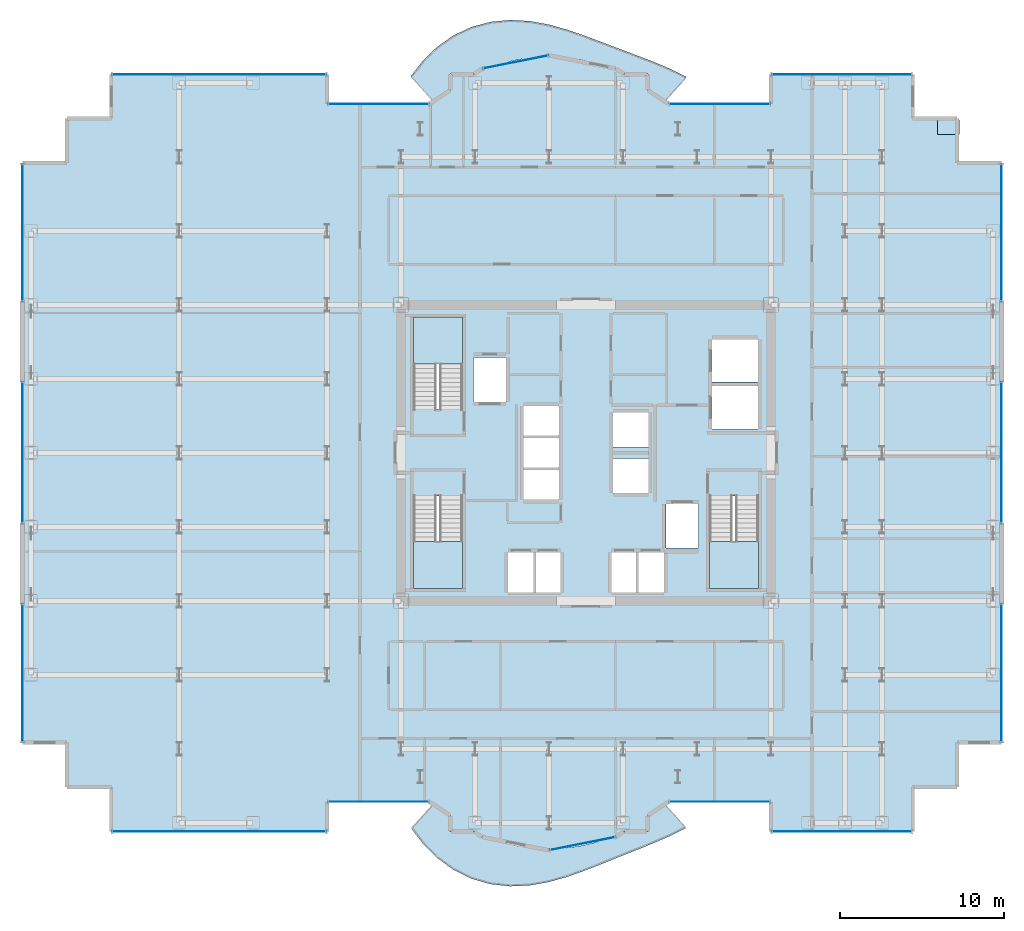
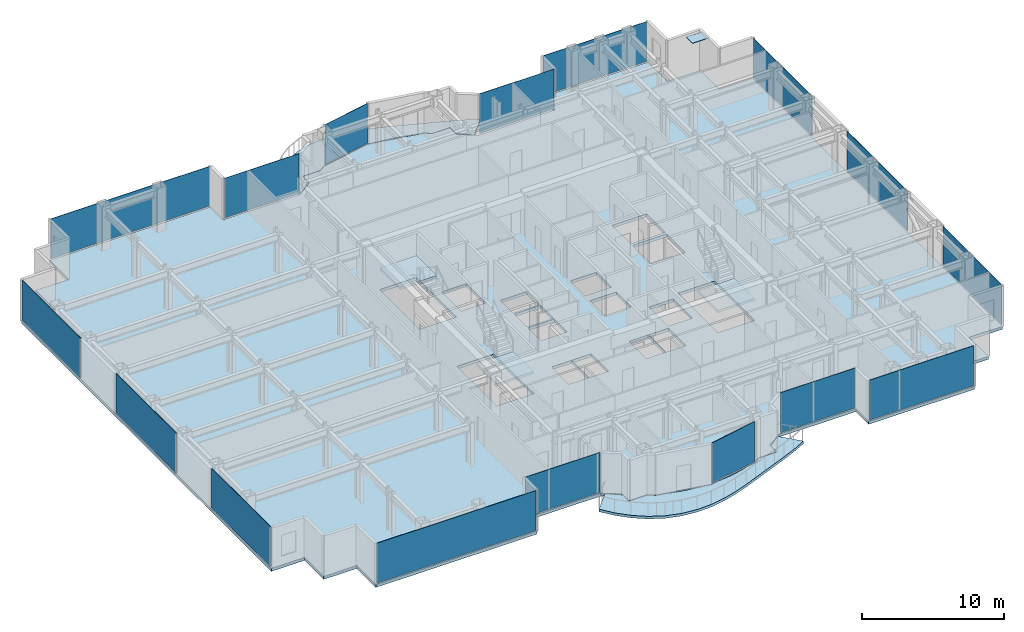
# One storey, part 17 of 26: 17 plates, 6 slabs, 19 elements without a shape of their own.
"""IFC4 building model written with IfcOpenShell, lengths in metres."""

from ifc_helpers import new_model, si_unit, direction, frame, origin, origin_2d, place, context, subcontext, project, spatial, polyline, rectangle, outline, extrude, source, transform, mapped, material, layer, layer_set, type_object, element, aggregate, save


model = new_model("IFC4")

# Units and contexts
model_context = context("Model", 3, precision=1e-05, world=origin(), true_north=direction((0.0, 1.0)))
body_context = subcontext(model_context, "Body", "Model", "MODEL_VIEW")
ifc_project = project(units=[si_unit("LENGTHUNIT", "METRE"), si_unit("AREAUNIT", "SQUARE_METRE"), si_unit("VOLUMEUNIT", "CUBIC_METRE"), si_unit("PLANEANGLEUNIT", "RADIAN"), si_unit("MASSUNIT", "GRAM", prefix="KILO")], contexts=[model_context])

# Site, building, storey
site_placement = place(None, origin())
site = spatial("IfcSite", under=ifc_project, at=site_placement, CompositionType="ELEMENT")
building_placement = place(site_placement, origin())
building = spatial("IfcBuilding", under=site, at=building_placement, Name="Nefas-Gora Pilgrimage Tower", CompositionType="ELEMENT")
storey_placement = place(building_placement, frame((0.0, 0.0, 171.60009765625)))
storey = spatial("IfcBuildingStorey", under=building, at=storey_placement, Name="L42", CompositionType="ELEMENT", Elevation=171.60009765625)

# Slabs
ifc_material_1 = material(Name="Concrete C40/50", Category="concrete")
ifc_layer_1 = layer(ifc_material_1, 0.219970703125)
ifc_layer_set_1 = layer_set([ifc_layer_1], Name="Concrete C40/50")
slab_type_1 = type_object("IfcSlabType", Name="SLB-BAL-P0", PredefinedType="FLOOR", material=ifc_layer_set_1)
slab_1_placement = place(storey_placement, frame((0.0, 0.0, -0.22021484375)))
element("IfcSlab", 1, at=slab_1_placement, inside=storey, type_object=slab_type_1, Name="L42 Sinusoidal Lobe Balcony Slab S (Phase 0)", PredefinedType="FLOOR", context=body_context, shape_type="SweptSolid", body=[
    extrude(outline(polyline([(4.78759765625, -21.385986328125), (4.724609375, -21.427978515625), (4.038330078125, -21.9912109375), (3.760009765625, -22.179931640625), (3.760009765625, -23.02001953125), (3.760009765625, -23.02099609375), (3.759765625, -23.02197265625), (3.759521484375, -23.02294921875), (3.75927734375, -23.023681640625), (3.7587890625, -23.024658203125), (3.75830078125, -23.025634765625), (3.7578125, -23.0263671875), (3.757080078125, -23.027099609375), (3.75634765625, -23.027587890625), (3.755615234375, -23.0283203125), (3.754638671875, -23.02880859375), (3.75390625, -23.029296875), (3.7529296875, -23.029541015625), (3.751953125, -23.02978515625), (3.7509765625, -23.030029296875), (3.75, -23.030029296875), (2.3271484375, -23.030029296875), (1.81298828125, -23.37353515625), (1.81201171875, -23.3740234375), (1.811279296875, -23.37451171875), (1.810302734375, -23.375), (1.809326171875, -23.375), (1.13037109375, -23.51025390625), (0.602783203125, -23.685302734375), (-0.334716796875, -23.904052734375), (-1.288330078125, -24.035888671875), (-1.580078125, -24.04931640625), (-2.248046875, -24.18212890625), (-2.2490234375, -24.182373046875), (-2.25, -24.182373046875), (-2.2509765625, -24.182373046875), (-2.251953125, -24.18212890625), (-2.919921875, -24.04931640625), (-3.211669921875, -24.035888671875), (-4.165283203125, -23.904052734375), (-5.102783203125, -23.685302734375), (-5.63037109375, -23.51025390625), (-6.309326171875, -23.375), (-6.310302734375, -23.375), (-6.311279296875, -23.37451171875), (-6.31201171875, -23.3740234375), (-6.31298828125, -23.37353515625), (-6.8271484375, -23.030029296875), (-8.25, -23.030029296875), (-8.2509765625, -23.030029296875), (-8.251953125, -23.02978515625), (-8.2529296875, -23.029541015625), (-8.25390625, -23.029296875), (-8.254638671875, -23.02880859375), (-8.255615234375, -23.0283203125), (-8.25634765625, -23.027587890625), (-8.257080078125, -23.027099609375), (-8.2578125, -23.0263671875), (-8.25830078125, -23.025634765625), (-8.2587890625, -23.024658203125), (-8.25927734375, -23.023681640625), (-8.259521484375, -23.02294921875), (-8.259765625, -23.02197265625), (-8.260009765625, -23.02099609375), (-8.260009765625, -23.02001953125), (-8.260009765625, -22.179931640625), (-8.538330078125, -21.9912109375), (-9.224609375, -21.427978515625), (-9.28759765625, -21.385986328125), (-10.614013671875, -22.859375), (-9.88720703125, -23.797607421875), (-9.037109375, -24.6455078125), (-8.062744140625, -25.357177734375), (-6.98046875, -25.89306640625), (-5.8203125, -26.2294921875), (-4.620849609375, -26.3623046875), (-3.42041015625, -26.3076171875), (-2.25, -26.09912109375), (-1.1279296875, -25.78125), (-0.0576171875, -25.39990234375), (0.971923828125, -24.993896484375), (1.979248046875, -24.58740234375), (2.985107421875, -24.18603515625), (4.00439453125, -23.7763671875), (5.039306640625, -23.331298828125), (6.0751953125, -22.816162109375), (4.78759765625, -21.385986328125)])), origin(), (0.0, 0.0, 1.0), 0.22021484375),
])
ifc_layer_2 = layer(ifc_material_1, 0.22509765625)
ifc_layer_set_2 = layer_set([ifc_layer_2], Name="Concrete C40/50")
slab_type_2 = type_object("IfcSlabType", Name="SLB-BAL-P4", PredefinedType="FLOOR", material=ifc_layer_set_2)
slab_2_placement = place(storey_placement, frame((0.0, 0.0, -0.22509765625)))
element("IfcSlab", 2, at=slab_2_placement, inside=storey, type_object=slab_type_2, Name="L42 Sinusoidal Lobe Balcony Slab N (Phase 4)", PredefinedType="FLOOR", context=body_context, shape_type="SweptSolid", body=[
    extrude(outline(polyline([(-9.28759765625, 21.385986328125), (-9.224609375, 21.427978515625), (-8.538330078125, 21.9912109375), (-8.260009765625, 22.179931640625), (-8.260009765625, 23.02001953125), (-8.260009765625, 23.02099609375), (-8.259765625, 23.02197265625), (-8.259521484375, 23.02294921875), (-8.25927734375, 23.023681640625), (-8.2587890625, 23.024658203125), (-8.25830078125, 23.025634765625), (-8.2578125, 23.0263671875), (-8.257080078125, 23.027099609375), (-8.25634765625, 23.027587890625), (-8.255615234375, 23.0283203125), (-8.254638671875, 23.02880859375), (-8.25390625, 23.029296875), (-8.2529296875, 23.029541015625), (-8.251953125, 23.02978515625), (-8.2509765625, 23.030029296875), (-8.25, 23.030029296875), (-6.8271484375, 23.030029296875), (-6.31298828125, 23.37353515625), (-6.31201171875, 23.3740234375), (-6.311279296875, 23.37451171875), (-6.310302734375, 23.375), (-6.309326171875, 23.375), (-5.63037109375, 23.51025390625), (-5.102783203125, 23.685302734375), (-4.165283203125, 23.904052734375), (-3.211669921875, 24.035888671875), (-2.919921875, 24.04931640625), (-2.251953125, 24.18212890625), (-2.2509765625, 24.182373046875), (-2.25, 24.182373046875), (-2.2490234375, 24.182373046875), (-2.248046875, 24.18212890625), (-1.580078125, 24.04931640625), (-1.288330078125, 24.035888671875), (-0.334716796875, 23.904052734375), (0.602783203125, 23.685302734375), (1.13037109375, 23.51025390625), (1.809326171875, 23.375), (1.810302734375, 23.375), (1.811279296875, 23.37451171875), (1.81201171875, 23.3740234375), (1.81298828125, 23.37353515625), (2.3271484375, 23.030029296875), (3.75, 23.030029296875), (3.7509765625, 23.030029296875), (3.751953125, 23.02978515625), (3.7529296875, 23.029541015625), (3.75390625, 23.029296875), (3.754638671875, 23.02880859375), (3.755615234375, 23.0283203125), (3.75634765625, 23.027587890625), (3.757080078125, 23.027099609375), (3.7578125, 23.0263671875), (3.75830078125, 23.025634765625), (3.7587890625, 23.024658203125), (3.75927734375, 23.023681640625), (3.759521484375, 23.02294921875), (3.759765625, 23.02197265625), (3.760009765625, 23.02099609375), (3.760009765625, 23.02001953125), (3.760009765625, 22.179931640625), (4.038330078125, 21.9912109375), (4.724609375, 21.427978515625), (4.78759765625, 21.385986328125), (6.114013671875, 22.859375), (5.07080078125, 23.373779296875), (4.025390625, 23.810302734375), (2.994384765625, 24.20458984375), (1.978759765625, 24.58642578125), (0.965576171875, 24.9716796875), (-0.06494140625, 25.359130859375), (-1.1328125, 25.7275390625), (-2.25, 26.041015625), (-3.41552734375, 26.25390625), (-4.61328125, 26.321533203125), (-5.814208984375, 26.20751953125), (-6.97998046875, 25.89208984375), (-8.072021484375, 25.375732421875), (-9.05810546875, 24.6796875), (-9.9189453125, 23.840087890625), (-10.653076171875, 22.902587890625), (-9.28759765625, 21.385986328125)])), origin(), (0.0, 0.0, 1.0), 0.22509765625),
])
ifc_layer_3 = layer(ifc_material_1, 0.25)
ifc_layer_set_3 = layer_set([ifc_layer_3], Name="Concrete C40/50")
slab_type_3 = type_object("IfcSlabType", Name="SLB-TWR-250", PredefinedType="FLOOR", material=ifc_layer_set_3)
slab_3_placement = place(storey_placement, frame((0.0, 0.0, -0.25)))
element("IfcSlab", 3, at=slab_3_placement, inside=storey, type_object=slab_type_3, Name="L42 Structural Floor Slab", PredefinedType="FLOOR", context=body_context, shape_type="SweptSolid", body=[
    extrude(outline(polyline([(5.01806640625, -21.219970703125), (11.25, -21.219970703125), (11.25, -23.02001953125), (19.8701171875, -23.02001953125), (19.8701171875, -20.320068359375), (22.570068359375, -20.320068359375), (22.570068359375, -17.6201171875), (25.27001953125, -17.6201171875), (25.27001953125, 17.6201171875), (22.570068359375, 17.6201171875), (22.570068359375, 20.320068359375), (19.8701171875, 20.320068359375), (19.8701171875, 23.02001953125), (11.25, 23.02001953125), (11.25, 21.219970703125), (5.01806640625, 21.219970703125), (3.75, 22.0673828125), (3.75, 23.02001953125), (2.32421875, 23.02001953125), (1.807373046875, 23.365234375), (-2.25, 24.17236328125), (-6.307373046875, 23.365234375), (-6.82421875, 23.02001953125), (-8.25, 23.02001953125), (-8.25, 22.0673828125), (-9.51806640625, 21.219970703125), (-15.75, 21.219970703125), (-15.75, 23.02001953125), (-28.8701171875, 23.02001953125), (-28.8701171875, 20.320068359375), (-31.570068359375, 20.320068359375), (-31.570068359375, 17.6201171875), (-34.27001953125, 17.6201171875), (-34.27001953125, -17.6201171875), (-31.570068359375, -17.6201171875), (-31.570068359375, -20.320068359375), (-28.8701171875, -20.320068359375), (-28.8701171875, -23.02001953125), (-15.75, -23.02001953125), (-15.75, -21.219970703125), (-9.51806640625, -21.219970703125), (-8.25, -22.0673828125), (-8.25, -23.02001953125), (-6.82421875, -23.02001953125), (-6.307373046875, -23.365234375), (-2.25, -24.17236328125), (1.807373046875, -23.365234375), (2.32421875, -23.02001953125), (3.75, -23.02001953125), (3.75, -22.0673828125), (5.01806640625, -21.219970703125)]), holes=[polyline([(-10.5, 2.639892578125), (-10.5, 8.25), (-7.5, 8.25), (-7.5, 2.639892578125), (-10.5, 2.639892578125)]), polyline([(10.5, -2.639892578125), (10.5, -8.25), (7.5, -8.25), (7.5, -2.639892578125), (10.5, -2.639892578125)]), polyline([(-7.5, -2.639892578125), (-7.5, -8.25), (-10.5, -8.25), (-10.5, -2.639892578125), (-7.5, -2.639892578125)]), polyline([(-6.85009765625, 5.800048828125), (-4.85009765625, 5.800048828125), (-4.85009765625, 3.10009765625), (-6.85009765625, 3.10009765625), (-6.85009765625, 5.800048828125)]), polyline([(4.85009765625, -3.10009765625), (6.85009765625, -3.10009765625), (6.85009765625, -5.800048828125), (4.85009765625, -5.800048828125), (4.85009765625, -3.10009765625)]), polyline([(7.64990234375, 4.050048828125), (10.449951171875, 4.050048828125), (10.449951171875, 1.449951171875), (7.64990234375, 1.449951171875), (7.64990234375, 4.050048828125)]), polyline([(7.64990234375, 6.89990234375), (10.449951171875, 6.89990234375), (10.449951171875, 4.300048828125), (7.64990234375, 4.300048828125), (7.64990234375, 6.89990234375)]), polyline([(-4.75, -6.050048828125), (-3.14990234375, -6.050048828125), (-3.14990234375, -8.5), (-4.75, -8.5), (-4.75, -6.050048828125)]), polyline([(-3.10009765625, -6.050048828125), (-1.550048828125, -6.050048828125), (-1.550048828125, -8.5), (-3.10009765625, -8.5), (-3.10009765625, -6.050048828125)]), polyline([(1.550048828125, -6.050048828125), (3.10009765625, -6.050048828125), (3.10009765625, -8.5), (1.550048828125, -8.5), (1.550048828125, -6.050048828125)]), polyline([(3.14990234375, -6.050048828125), (4.75, -6.050048828125), (4.75, -8.5), (3.14990234375, -8.5), (3.14990234375, -6.050048828125)]), polyline([(-3.800048828125, -1.050048828125), (-1.64990234375, -1.050048828125), (-1.64990234375, -2.85009765625), (-3.800048828125, -2.85009765625), (-3.800048828125, -1.050048828125)]), polyline([(-3.800048828125, 0.89990234375), (-1.64990234375, 0.89990234375), (-1.64990234375, -0.89990234375), (-3.800048828125, -0.89990234375), (-3.800048828125, 0.89990234375)]), polyline([(-3.800048828125, 2.85009765625), (-1.64990234375, 2.85009765625), (-1.64990234375, 1.050048828125), (-3.800048828125, 1.050048828125), (-3.800048828125, 2.85009765625)]), polyline([(1.64990234375, -0.35009765625), (3.800048828125, -0.35009765625), (3.800048828125, -2.449951171875), (1.64990234375, -2.449951171875), (1.64990234375, -0.35009765625)]), polyline([(1.64990234375, 2.449951171875), (3.800048828125, 2.449951171875), (3.800048828125, 0.35009765625), (1.64990234375, 0.35009765625), (1.64990234375, 2.449951171875)])]), origin(), (0.0, 0.0, 1.0), 0.25),
])

# Stair, slab
ifc_material_2 = material(Name="Concrete C45/55", Category="concrete")
stair_type = type_object("IfcStairType", Name="STR-1400-R1727", PredefinedType="HALF_TURN_STAIR", material=ifc_material_2)
stair_1_placement = place(storey_placement, origin())
stair_1 = element("IfcStair", 4, at=stair_1_placement, inside=storey, type_object=stair_type, Name="L42 Pressurised Tower Exit Stair ST-01", PredefinedType="HALF_TURN_STAIR")
ifc_layer_4 = layer(ifc_material_1, 0.199951171875)
ifc_layer_set_4 = layer_set([ifc_layer_4], Name="Concrete C40/50")
slab_type_4 = type_object("IfcSlabType", Name="STR-LAND-200", PredefinedType="LANDING", material=ifc_layer_set_4)
slab_4_placement = place(storey_placement, frame((0.0, 0.0, 1.699951171875)))
slab_4 = element("IfcSlab", 5, at=slab_4_placement, type_object=slab_type_4, Name="ST-01 landing 1", PredefinedType="LANDING", context=body_context, shape_type="SweptSolid", body=[
    extrude(outline(polyline([(-7.5, 5.39990234375), (-7.5, 8.25), (-10.5, 8.25), (-10.5, 5.39990234375), (-7.5, 5.39990234375)])), origin(), (0.0, 0.0, 1.0), 0.199951171875),
])
aggregate(stair_1, [slab_4])

stair_2_placement = place(storey_placement, origin())
stair_2 = element("IfcStair", 6, at=stair_2_placement, inside=storey, type_object=stair_type, Name="L42 Pressurised Tower Exit Stair ST-02", PredefinedType="HALF_TURN_STAIR")
slab_5_placement = place(storey_placement, frame((0.0, 0.0, 1.699951171875)))
slab_5 = element("IfcSlab", 7, at=slab_5_placement, type_object=slab_type_4, Name="ST-02 landing 1", PredefinedType="LANDING", context=body_context, shape_type="SweptSolid", body=[
    extrude(outline(polyline([(7.5, -5.39990234375), (7.5, -8.25), (10.5, -8.25), (10.5, -5.39990234375), (7.5, -5.39990234375)])), origin(), (0.0, 0.0, 1.0), 0.199951171875),
])
aggregate(stair_2, [slab_5])

stair_3_placement = place(storey_placement, origin())
stair_3 = element("IfcStair", 8, at=stair_3_placement, inside=storey, type_object=stair_type, Name="L42 Pressurised Tower Exit Stair ST-03", PredefinedType="HALF_TURN_STAIR")
slab_6_placement = place(storey_placement, frame((0.0, 0.0, 1.699951171875)))
slab_6 = element("IfcSlab", 9, at=slab_6_placement, type_object=slab_type_4, Name="ST-03 landing 1", PredefinedType="LANDING", context=body_context, shape_type="SweptSolid", body=[
    extrude(outline(polyline([(-10.5, -5.39990234375), (-10.5, -8.25), (-7.5, -8.25), (-7.5, -5.39990234375), (-10.5, -5.39990234375)])), origin(), (0.0, 0.0, 1.0), 0.199951171875),
])
aggregate(stair_3, [slab_6])

# Plate
ifc_material_3 = material(Name="Steel S355", Category="steel")
ifc_layer_5 = layer(ifc_material_3, 0.053955078125)
ifc_layer_set_5 = layer_set([ifc_layer_5], Name="Steel S355")
plate_type_1 = type_object("IfcPlateType", Name="PLT-NODE-N10", PredefinedType="USERDEFINED", material=ifc_layer_set_5)
shared_shape_1 = source(origin(), body_context, "Body", "SweptSolid", [
    extrude(rectangle(XDim=1.35009765625, YDim=0.89990234375, at=origin_2d()), origin(), (0.0, 0.0, 1.0), 0.0419921875),
])
plate_1_placement = place(storey_placement, frame((22.050048828125, 19.800048828125, 3.27880859375), z_axis=(0.0, 0.0, 1.0), x_axis=(1.0, 0.0, 0.0)))
element("IfcPlate", 10, at=plate_1_placement, inside=storey, type_object=plate_type_1, Name="Structural Node Gusset Plate N10 (L42)", ObjectType="GUSSET_PLATE", PredefinedType="USERDEFINED", context=body_context, shape_type="MappedRepresentation", body=[
    mapped(shared_shape_1, transform((0.0, 0.0, 0.0), x_axis=(1.0, 0.0, 0.0), y_axis=(0.0, 1.0, 0.0), z_axis=(0.0, 0.0, 1.0), scale=1.0)),
])

# Curtain wall, plate
ifc_material_4 = material(Name="Dark ceramic-fritted solar-control aluminium-glass curtain wall", Category="aluminium")
ifc_layer_6 = layer(ifc_material_4, 0.219970703125)
ifc_layer_set_6 = layer_set([ifc_layer_6], Name="Dark ceramic-fritted solar-control aluminium-glass curtain wall")
curtain_wall_type_1 = type_object("IfcCurtainWallType", Name="CW-SYS-5", PredefinedType="NOTDEFINED", material=ifc_layer_set_6)
curtain_wall_1_placement = place(storey_placement, origin())
curtain_wall_1 = element("IfcCurtainWall", 11, at=curtain_wall_1_placement, inside=storey, type_object=curtain_wall_type_1, Name="L42 Unitised Curtain Wall CW5", PredefinedType="NOTDEFINED")
ifc_material_5 = material(Name="Dark ceramic-printed low-e insulated glass", Category="glass")
ifc_layer_7 = layer(ifc_material_5, 0.028076171875)
ifc_layer_set_7 = layer_set([ifc_layer_7], Name="Dark ceramic-printed low-e insulated glass")
plate_type_2 = type_object("IfcPlateType", Name="CWP-PNL-5", PredefinedType="CURTAIN_PANEL", material=ifc_layer_set_7)
shared_shape_2 = source(origin(), body_context, "Body", "SweptSolid", [
    extrude(rectangle(XDim=6.052001953125, YDim=0.028076171875, at=origin_2d()), origin(), (0.0, 0.0, 1.0), 3.43994140625),
])
plate_2_placement = place(storey_placement, frame((8.134033203125, -21.219970703125, 0.099853515625), z_axis=(0.0, 0.0, 1.0), x_axis=(1.0, 0.0, 0.0)))
plate_2 = element("IfcPlate", 12, at=plate_2_placement, type_object=plate_type_2, Name="CW5 Ceramic-Fritted Glazing Panel 1", PredefinedType="CURTAIN_PANEL", context=body_context, shape_type="MappedRepresentation", body=[
    mapped(shared_shape_2, transform((0.0, 0.0, 0.0), x_axis=(1.0, 0.0, 0.0), y_axis=(0.0, 1.0, 0.0), z_axis=(0.0, 0.0, 1.0), scale=1.0)),
])
aggregate(curtain_wall_1, [plate_2])

curtain_wall_2_placement = place(storey_placement, origin())
curtain_wall_2 = element("IfcCurtainWall", 13, at=curtain_wall_2_placement, inside=storey, type_object=curtain_wall_type_1, Name="L42 Unitised Curtain Wall CW5", PredefinedType="NOTDEFINED")
plate_3_placement = place(storey_placement, frame((8.134033203125, 21.219970703125, 0.099853515625), z_axis=(0.0, 0.0, 1.0), x_axis=(-1.0, 0.0, 0.0)))
plate_3 = element("IfcPlate", 14, at=plate_3_placement, type_object=plate_type_2, Name="CW5 Ceramic-Fritted Glazing Panel 1", PredefinedType="CURTAIN_PANEL", context=body_context, shape_type="MappedRepresentation", body=[
    mapped(shared_shape_2, transform((0.0, 0.0, 0.0), x_axis=(1.0, 0.0, 0.0), y_axis=(0.0, 1.0, 0.0), z_axis=(0.0, 0.0, 1.0), scale=1.0)),
])
aggregate(curtain_wall_2, [plate_3])

curtain_wall_3_placement = place(storey_placement, origin())
curtain_wall_3 = element("IfcCurtainWall", 15, at=curtain_wall_3_placement, inside=storey, type_object=curtain_wall_type_1, Name="L42 Unitised Curtain Wall CW5", PredefinedType="NOTDEFINED")
plate_4_placement = place(storey_placement, frame((-12.634033203125, 21.219970703125, 0.099853515625), z_axis=(0.0, 0.0, 1.0), x_axis=(-1.0, 0.0, 0.0)))
plate_4 = element("IfcPlate", 16, at=plate_4_placement, type_object=plate_type_2, Name="CW5 Ceramic-Fritted Glazing Panel 1", PredefinedType="CURTAIN_PANEL", context=body_context, shape_type="MappedRepresentation", body=[
    mapped(shared_shape_2, transform((0.0, 0.0, 0.0), x_axis=(1.0, 0.0, 0.0), y_axis=(0.0, 1.0, 0.0), z_axis=(0.0, 0.0, 1.0), scale=1.0)),
])
aggregate(curtain_wall_3, [plate_4])

curtain_wall_4_placement = place(storey_placement, origin())
curtain_wall_4 = element("IfcCurtainWall", 17, at=curtain_wall_4_placement, inside=storey, type_object=curtain_wall_type_1, Name="L42 Unitised Curtain Wall CW5", PredefinedType="NOTDEFINED")
plate_5_placement = place(storey_placement, frame((-12.634033203125, -21.219970703125, 0.099853515625), z_axis=(0.0, 0.0, 1.0), x_axis=(1.0, 0.0, 0.0)))
plate_5 = element("IfcPlate", 18, at=plate_5_placement, type_object=plate_type_2, Name="CW5 Ceramic-Fritted Glazing Panel 1", PredefinedType="CURTAIN_PANEL", context=body_context, shape_type="MappedRepresentation", body=[
    mapped(shared_shape_2, transform((0.0, 0.0, 0.0), x_axis=(1.0, 0.0, 0.0), y_axis=(0.0, 1.0, 0.0), z_axis=(0.0, 0.0, 1.0), scale=1.0)),
])
aggregate(curtain_wall_4, [plate_5])

curtain_wall_5_placement = place(storey_placement, origin())
curtain_wall_5 = element("IfcCurtainWall", 19, at=curtain_wall_5_placement, inside=storey, type_object=curtain_wall_type_1, Name="L42 Unitised Curtain Wall CW5", PredefinedType="NOTDEFINED")
shared_shape_3 = source(origin(), body_context, "Body", "SweptSolid", [
    extrude(rectangle(XDim=3.956787109375, YDim=0.028076171875, at=origin_2d()), origin(), (0.0, 0.0, 1.0), 3.43994140625),
])
plate_6_placement = place(storey_placement, frame((-4.278564453125, 23.768798828125, 0.099853515625), z_axis=(0.0, 0.0, 1.0), x_axis=(-0.980782896852, -0.195102304554, 0.0)))
plate_6 = element("IfcPlate", 20, at=plate_6_placement, type_object=plate_type_2, Name="CW5 Ceramic-Fritted Glazing Panel 1", PredefinedType="CURTAIN_PANEL", context=body_context, shape_type="MappedRepresentation", body=[
    mapped(shared_shape_3, transform((0.0, 0.0, 0.0), x_axis=(1.0, 0.0, 0.0), y_axis=(0.0, 1.0, 0.0), z_axis=(0.0, 0.0, 1.0), scale=1.0)),
])
aggregate(curtain_wall_5, [plate_6])

curtain_wall_6_placement = place(storey_placement, origin())
curtain_wall_6 = element("IfcCurtainWall", 21, at=curtain_wall_6_placement, inside=storey, type_object=curtain_wall_type_1, Name="L42 Unitised Curtain Wall CW5", PredefinedType="NOTDEFINED")
plate_7_placement = place(storey_placement, frame((-0.221435546875, -23.768798828125, 0.099853515625), z_axis=(0.0, 0.0, 1.0), x_axis=(0.980782896852, 0.195102304554, 0.0)))
plate_7 = element("IfcPlate", 22, at=plate_7_placement, type_object=plate_type_2, Name="CW5 Ceramic-Fritted Glazing Panel 1", PredefinedType="CURTAIN_PANEL", context=body_context, shape_type="MappedRepresentation", body=[
    mapped(shared_shape_3, transform((0.0, 0.0, 0.0), x_axis=(1.0, 0.0, 0.0), y_axis=(0.0, 1.0, 0.0), z_axis=(0.0, 0.0, 1.0), scale=1.0)),
])
aggregate(curtain_wall_6, [plate_7])

ifc_layer_8 = layer(ifc_material_4, 0.219970703125)
ifc_layer_set_8 = layer_set([ifc_layer_8], Name="Dark ceramic-fritted solar-control aluminium-glass curtain wall")
curtain_wall_type_2 = type_object("IfcCurtainWallType", Name="CW-SYS-3", PredefinedType="NOTDEFINED", material=ifc_layer_set_8)
curtain_wall_7_placement = place(storey_placement, origin())
curtain_wall_7 = element("IfcCurtainWall", 23, at=curtain_wall_7_placement, inside=storey, type_object=curtain_wall_type_2, Name="L42 Unitised Curtain Wall CW3", PredefinedType="NOTDEFINED")
ifc_layer_9 = layer(ifc_material_5, 0.033935546875)
ifc_layer_set_9 = layer_set([ifc_layer_9], Name="Dark ceramic-printed low-e insulated glass")
plate_type_3 = type_object("IfcPlateType", Name="CWP-PNL-3", PredefinedType="CURTAIN_PANEL", material=ifc_layer_set_9)
shared_shape_4 = source(origin(), body_context, "Body", "SweptSolid", [
    extrude(rectangle(XDim=8.43994140625, YDim=0.033935546875, at=origin_2d()), origin(), (0.0, 0.0, 1.0), 3.43994140625),
])
plate_8_placement = place(storey_placement, frame((15.56005859375, -23.02001953125, 0.099853515625), z_axis=(0.0, 0.0, 1.0), x_axis=(1.0, 0.0, 0.0)))
plate_8 = element("IfcPlate", 24, at=plate_8_placement, type_object=plate_type_3, Name="CW3 Ceramic-Fritted Glazing Panel 1", PredefinedType="CURTAIN_PANEL", context=body_context, shape_type="MappedRepresentation", body=[
    mapped(shared_shape_4, transform((0.0, 0.0, 0.0), x_axis=(1.0, 0.0, 0.0), y_axis=(0.0, 1.0, 0.0), z_axis=(0.0, 0.0, 1.0), scale=1.0)),
])
aggregate(curtain_wall_7, [plate_8])

curtain_wall_8_placement = place(storey_placement, origin())
curtain_wall_8 = element("IfcCurtainWall", 25, at=curtain_wall_8_placement, inside=storey, type_object=curtain_wall_type_2, Name="L42 Unitised Curtain Wall CW3", PredefinedType="NOTDEFINED")
plate_9_placement = place(storey_placement, frame((15.56005859375, 23.02001953125, 0.099853515625), z_axis=(0.0, 0.0, 1.0), x_axis=(-1.0, 0.0, 0.0)))
plate_9 = element("IfcPlate", 26, at=plate_9_placement, type_object=plate_type_3, Name="CW3 Ceramic-Fritted Glazing Panel 1", PredefinedType="CURTAIN_PANEL", context=body_context, shape_type="MappedRepresentation", body=[
    mapped(shared_shape_4, transform((0.0, 0.0, 0.0), x_axis=(1.0, 0.0, 0.0), y_axis=(0.0, 1.0, 0.0), z_axis=(0.0, 0.0, 1.0), scale=1.0)),
])
aggregate(curtain_wall_8, [plate_9])

curtain_wall_9_placement = place(storey_placement, origin())
curtain_wall_9 = element("IfcCurtainWall", 27, at=curtain_wall_9_placement, inside=storey, type_object=curtain_wall_type_2, Name="L42 Unitised Curtain Wall CW3", PredefinedType="NOTDEFINED")
shared_shape_5 = source(origin(), body_context, "Body", "SweptSolid", [
    extrude(rectangle(XDim=8.2900390625, YDim=0.033935546875, at=origin_2d()), origin(), (0.0, 0.0, 1.0), 3.43994140625),
])
plate_10_placement = place(storey_placement, frame((25.27001953125, -13.385009765625, 0.099853515625), z_axis=(0.0, 0.0, 1.0), x_axis=(0.0, 1.0, 0.0)))
plate_10 = element("IfcPlate", 28, at=plate_10_placement, type_object=plate_type_3, Name="CW3 Ceramic-Fritted Glazing Panel 1", PredefinedType="CURTAIN_PANEL", context=body_context, shape_type="MappedRepresentation", body=[
    mapped(shared_shape_5, transform((0.0, 0.0, 0.0), x_axis=(1.0, 0.0, 0.0), y_axis=(0.0, 1.0, 0.0), z_axis=(0.0, 0.0, 1.0), scale=1.0)),
])
aggregate(curtain_wall_9, [plate_10])

curtain_wall_10_placement = place(storey_placement, origin())
curtain_wall_10 = element("IfcCurtainWall", 29, at=curtain_wall_10_placement, inside=storey, type_object=curtain_wall_type_2, Name="L42 Unitised Curtain Wall CW3", PredefinedType="NOTDEFINED")
plate_11_placement = place(storey_placement, frame((25.27001953125, 13.385009765625, 0.099853515625), z_axis=(0.0, 0.0, 1.0), x_axis=(0.0, 1.0, 0.0)))
plate_11 = element("IfcPlate", 30, at=plate_11_placement, type_object=plate_type_3, Name="CW3 Ceramic-Fritted Glazing Panel 1", PredefinedType="CURTAIN_PANEL", context=body_context, shape_type="MappedRepresentation", body=[
    mapped(shared_shape_5, transform((0.0, 0.0, 0.0), x_axis=(1.0, 0.0, 0.0), y_axis=(0.0, 1.0, 0.0), z_axis=(0.0, 0.0, 1.0), scale=1.0)),
])
aggregate(curtain_wall_10, [plate_11])

curtain_wall_11_placement = place(storey_placement, origin())
curtain_wall_11 = element("IfcCurtainWall", 31, at=curtain_wall_11_placement, inside=storey, type_object=curtain_wall_type_2, Name="L42 Unitised Curtain Wall CW3", PredefinedType="NOTDEFINED")
plate_12_placement = place(storey_placement, frame((-34.27001953125, 13.385009765625, 0.099853515625), z_axis=(0.0, 0.0, 1.0), x_axis=(0.0, -1.0, 0.0)))
plate_12 = element("IfcPlate", 32, at=plate_12_placement, type_object=plate_type_3, Name="CW3 Ceramic-Fritted Glazing Panel 1", PredefinedType="CURTAIN_PANEL", context=body_context, shape_type="MappedRepresentation", body=[
    mapped(shared_shape_5, transform((0.0, 0.0, 0.0), x_axis=(1.0, 0.0, 0.0), y_axis=(0.0, 1.0, 0.0), z_axis=(0.0, 0.0, 1.0), scale=1.0)),
])
aggregate(curtain_wall_11, [plate_12])

curtain_wall_12_placement = place(storey_placement, origin())
curtain_wall_12 = element("IfcCurtainWall", 33, at=curtain_wall_12_placement, inside=storey, type_object=curtain_wall_type_2, Name="L42 Unitised Curtain Wall CW3", PredefinedType="NOTDEFINED")
plate_13_placement = place(storey_placement, frame((-34.27001953125, -13.385009765625, 0.099853515625), z_axis=(0.0, 0.0, 1.0), x_axis=(0.0, -1.0, 0.0)))
plate_13 = element("IfcPlate", 34, at=plate_13_placement, type_object=plate_type_3, Name="CW3 Ceramic-Fritted Glazing Panel 1", PredefinedType="CURTAIN_PANEL", context=body_context, shape_type="MappedRepresentation", body=[
    mapped(shared_shape_5, transform((0.0, 0.0, 0.0), x_axis=(1.0, 0.0, 0.0), y_axis=(0.0, 1.0, 0.0), z_axis=(0.0, 0.0, 1.0), scale=1.0)),
])
aggregate(curtain_wall_12, [plate_13])

curtain_wall_13_placement = place(storey_placement, origin())
curtain_wall_13 = element("IfcCurtainWall", 35, at=curtain_wall_13_placement, inside=storey, type_object=curtain_wall_type_2, Name="L42 Unitised Curtain Wall CW3", PredefinedType="NOTDEFINED")
shared_shape_6 = source(origin(), body_context, "Body", "SweptSolid", [
    extrude(rectangle(XDim=8.52001953125, YDim=0.033935546875, at=origin_2d()), origin(), (0.0, 0.0, 1.0), 3.43994140625),
])
plate_14_placement = place(storey_placement, frame((25.27001953125, 0.0, 0.099853515625), z_axis=(0.0, 0.0, 1.0), x_axis=(0.0, 1.0, 0.0)))
plate_14 = element("IfcPlate", 36, at=plate_14_placement, type_object=plate_type_3, Name="CW3 Ceramic-Fritted Glazing Panel 1", PredefinedType="CURTAIN_PANEL", context=body_context, shape_type="MappedRepresentation", body=[
    mapped(shared_shape_6, transform((0.0, 0.0, 0.0), x_axis=(1.0, 0.0, 0.0), y_axis=(0.0, 1.0, 0.0), z_axis=(0.0, 0.0, 1.0), scale=1.0)),
])
aggregate(curtain_wall_13, [plate_14])

curtain_wall_14_placement = place(storey_placement, origin())
curtain_wall_14 = element("IfcCurtainWall", 37, at=curtain_wall_14_placement, inside=storey, type_object=curtain_wall_type_2, Name="L42 Unitised Curtain Wall CW3", PredefinedType="NOTDEFINED")
plate_15_placement = place(storey_placement, frame((-34.27001953125, 0.0, 0.099853515625), z_axis=(0.0, 0.0, 1.0), x_axis=(0.0, -1.0, 0.0)))
plate_15 = element("IfcPlate", 38, at=plate_15_placement, type_object=plate_type_3, Name="CW3 Ceramic-Fritted Glazing Panel 1", PredefinedType="CURTAIN_PANEL", context=body_context, shape_type="MappedRepresentation", body=[
    mapped(shared_shape_6, transform((0.0, 0.0, 0.0), x_axis=(1.0, 0.0, 0.0), y_axis=(0.0, 1.0, 0.0), z_axis=(0.0, 0.0, 1.0), scale=1.0)),
])
aggregate(curtain_wall_14, [plate_15])

curtain_wall_15_placement = place(storey_placement, origin())
curtain_wall_15 = element("IfcCurtainWall", 39, at=curtain_wall_15_placement, inside=storey, type_object=curtain_wall_type_2, Name="L42 Unitised Curtain Wall CW3", PredefinedType="NOTDEFINED")
shared_shape_7 = source(origin(), body_context, "Body", "SweptSolid", [
    extrude(rectangle(XDim=12.93994140625, YDim=0.033935546875, at=origin_2d()), origin(), (0.0, 0.0, 1.0), 3.43994140625),
])
plate_16_placement = place(storey_placement, frame((-22.31005859375, 23.02001953125, 0.099853515625), z_axis=(0.0, 0.0, 1.0), x_axis=(-1.0, 0.0, 0.0)))
plate_16 = element("IfcPlate", 40, at=plate_16_placement, type_object=plate_type_3, Name="CW3 Ceramic-Fritted Glazing Panel 1", PredefinedType="CURTAIN_PANEL", context=body_context, shape_type="MappedRepresentation", body=[
    mapped(shared_shape_7, transform((0.0, 0.0, 0.0), x_axis=(1.0, 0.0, 0.0), y_axis=(0.0, 1.0, 0.0), z_axis=(0.0, 0.0, 1.0), scale=1.0)),
])
aggregate(curtain_wall_15, [plate_16])

curtain_wall_16_placement = place(storey_placement, origin())
curtain_wall_16 = element("IfcCurtainWall", 41, at=curtain_wall_16_placement, inside=storey, type_object=curtain_wall_type_2, Name="L42 Unitised Curtain Wall CW3", PredefinedType="NOTDEFINED")
plate_17_placement = place(storey_placement, frame((-22.31005859375, -23.02001953125, 0.099853515625), z_axis=(0.0, 0.0, 1.0), x_axis=(1.0, 0.0, 0.0)))
plate_17 = element("IfcPlate", 42, at=plate_17_placement, type_object=plate_type_3, Name="CW3 Ceramic-Fritted Glazing Panel 1", PredefinedType="CURTAIN_PANEL", context=body_context, shape_type="MappedRepresentation", body=[
    mapped(shared_shape_7, transform((0.0, 0.0, 0.0), x_axis=(1.0, 0.0, 0.0), y_axis=(0.0, 1.0, 0.0), z_axis=(0.0, 0.0, 1.0), scale=1.0)),
])
aggregate(curtain_wall_16, [plate_17])

save(model, "model.ifc")
